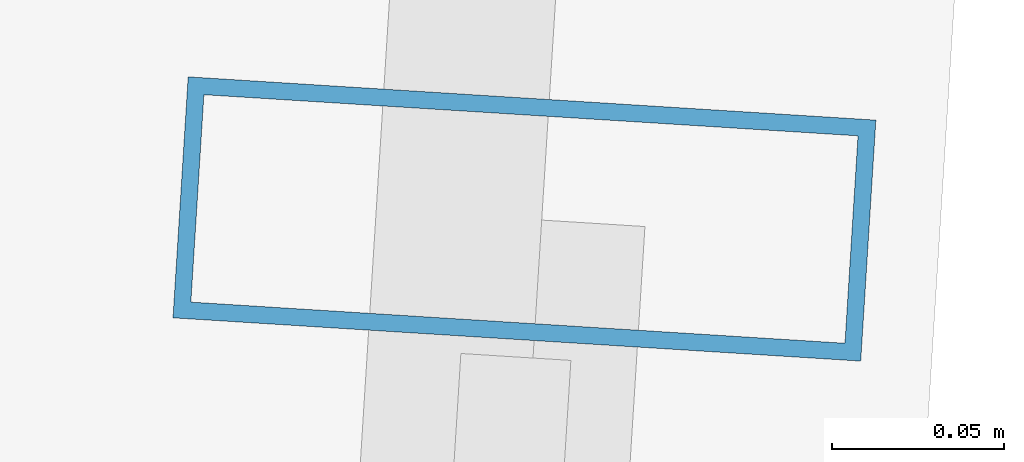
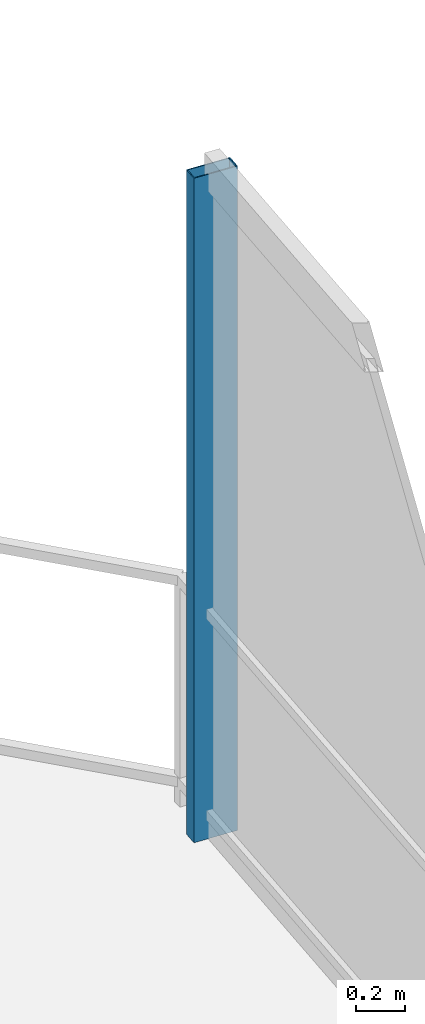
# One storey, part 15 of 21: 1 member, 1 element without a shape of its own.
"""IFC4 building model written with IfcOpenShell, lengths in metres."""

from ifc_helpers import new_model, si_unit, direction, frame, origin, origin_2d, place, context, subcontext, project, spatial, hollow_rectangle, extrude, material, layer, layer_set, material_profile, profile_set, type_object, element, aggregate, save


model = new_model("IFC4")

# Units and contexts
model_context = context("Model", 3, precision=1e-05, world=origin(), true_north=direction((0.0, 1.0)))
body_context = subcontext(model_context, "Body", "Model", "MODEL_VIEW")
ifc_project = project(units=[si_unit("LENGTHUNIT", "METRE"), si_unit("AREAUNIT", "SQUARE_METRE"), si_unit("VOLUMEUNIT", "CUBIC_METRE"), si_unit("PLANEANGLEUNIT", "RADIAN"), si_unit("MASSUNIT", "GRAM", prefix="KILO")], contexts=[model_context])

# Site, building, storey
site_placement = place(None, origin())
site = spatial("IfcSite", under=ifc_project, at=site_placement, CompositionType="ELEMENT")
building_placement = place(site_placement, origin())
building = spatial("IfcBuilding", under=site, at=building_placement, Name="Qarnah Convention Tower", CompositionType="ELEMENT")
storey_placement = place(building_placement, frame((0.0, 0.0, 165.300048828125)))
storey = spatial("IfcBuildingStorey", under=building, at=storey_placement, Name="L44", CompositionType="ELEMENT", Elevation=165.300048828125)

# Curtain wall, member
ifc_material_1 = material(Name="Tempered Low-E dark glass", Category="glass")
ifc_layer = layer(ifc_material_1, 0.172119140625)
ifc_layer_set = layer_set([ifc_layer], Name="Tempered Low-E dark glass")
curtain_wall_type = type_object("IfcCurtainWallType", Name="CWS-03", PredefinedType="NOTDEFINED", material=ifc_layer_set)
curtain_wall_placement = place(storey_placement, origin())
curtain_wall = element("IfcCurtainWall", 1, at=curtain_wall_placement, inside=storey, type_object=curtain_wall_type, Name="L44 unitised curtain wall CW-L44-F3", PredefinedType="NOTDEFINED")
ifc_material_2 = material(Name="Black anodised aluminium", Category="aluminium")
ifc_material_profile = material_profile(ifc_material_2, hollow_rectangle(XDim=0.070068359375, YDim=0.199951171875, WallThickness=0.0048828125, at=origin_2d()), Name="MUL-70X200")
ifc_profile_set = profile_set([ifc_material_profile], Name="Black anodised aluminium")
member_type = type_object("IfcMemberType", Name="MUL-T3", PredefinedType="MULLION", material=ifc_profile_set)
member_placement = place(storey_placement, frame((55.06689453125, 40.548095703125, 0.0), z_axis=(0.0, 0.0, 1.0), x_axis=(-0.062781496561, -0.998027296064, 0.0)))
member = element("IfcMember", 2, at=member_placement, type_object=member_type, Name="CW-L44-F3 mullion 1", PredefinedType="MULLION", context=body_context, shape_type="SweptSolid", body=[
    extrude(hollow_rectangle(XDim=0.070068359375, YDim=0.199951171875, WallThickness=0.0048828125, at=origin_2d()), origin(), (0.0, 0.0, 1.0), 3.320068359375),
])
aggregate(curtain_wall, [member])

save(model, "model.ifc")
